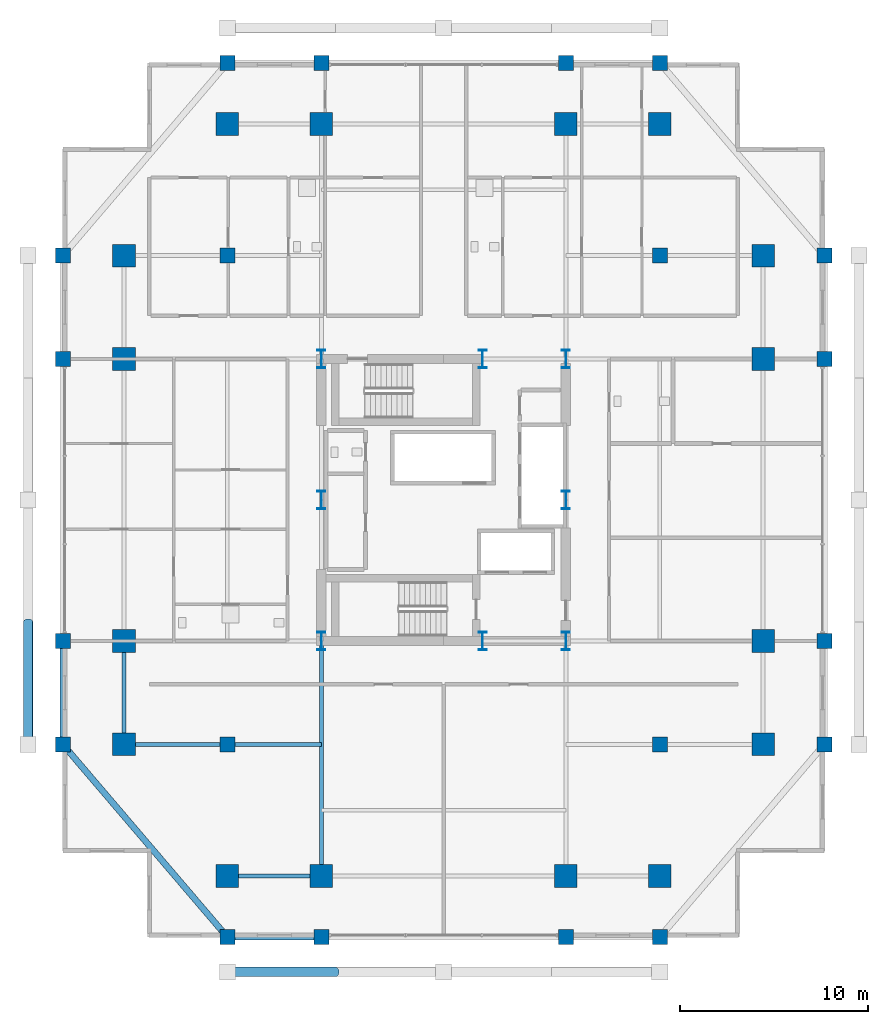
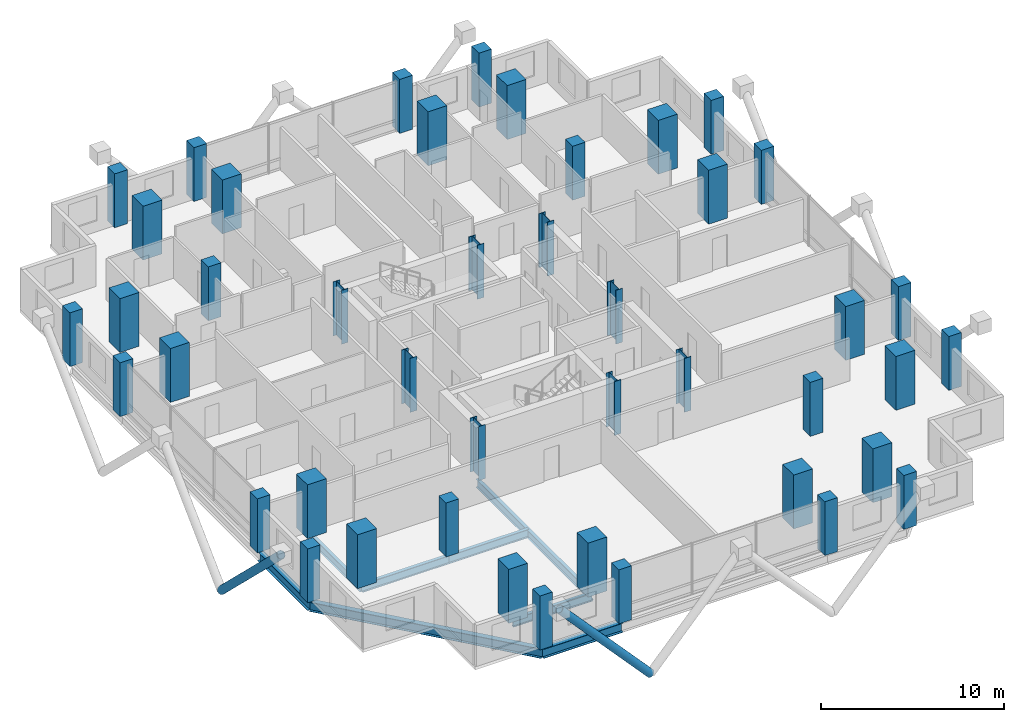
# One storey, part 1 of 22: 44 columns, 8 beams, 2 members.
"""IFC4 building model written with IfcOpenShell, lengths in metres."""

import ifcopenshell
import ifcopenshell.guid

model = None  # the IFC model being written
_history = None  # IfcOwnerHistory: only IFC2X3 demands one
_inside = {}  # id of a spatial element -> (the spatial element, [elements in it])
_under = {}  # id of a project, library or spatial element -> (it, [spatial elements below it])
_declared = {}  # id of a project -> (the project, [libraries it declares])
_typed = {}  # id of a type object -> (the type object, [elements of that type])
_made_of = {}  # id of a material, layer set ... -> (it, [elements and type objects made of it])


def new_model(schema):
    """Start an empty IFC model of exactly this schema.

    Asked for "IFC4X3", IfcOpenShell would pick the latest addendum, in which some entities
    have other attributes; the version numbers below select the first issue.
    IFC2X3 requires an IfcOwnerHistory on every rooted entity: one is made here for all.
    """
    global model, _history
    if schema == "IFC4X3":
        model = ifcopenshell.file(schema_version=(4, 3, 0, 0))
    else:
        model = ifcopenshell.file(schema=schema)
    _inside.clear()
    _under.clear()
    _declared.clear()
    _typed.clear()
    _made_of.clear()
    _history = None
    if model.schema == "IFC2X3":
        org = make("IfcOrganization", Name="unknown")
        user = make(
            "IfcPersonAndOrganization",
            ThePerson=make("IfcPerson", FamilyName="unknown"),
            TheOrganization=org,
        )
        app = make(
            "IfcApplication",
            ApplicationDeveloper=org,
            Version="unknown",
            ApplicationFullName="unknown",
            ApplicationIdentifier="unknown",
        )
        _history = make(
            "IfcOwnerHistory",
            OwningUser=user,
            OwningApplication=app,
            ChangeAction="ADDED",
            CreationDate=0,
        )
    return model


def make(cls, **values):
    """One entity of the class cls with the attributes given. An attribute that is None is left unset."""
    return model.create_entity(
        cls, **{name: value for name, value in values.items() if value is not None}
    )


def rooted(cls, **values):
    """An entity with a GlobalId (a new one), such as an element, a storey or a relation."""
    return make(cls, GlobalId=ifcopenshell.guid.new(), OwnerHistory=_history, **values)


def si_unit(unit_type, name, prefix=None):
    """IfcSIUnit, for example si_unit("LENGTHUNIT", "METRE", prefix="MILLI")."""
    return make("IfcSIUnit", UnitType=unit_type, Prefix=prefix, Name=name)


def assignment(units):
    """IfcUnitAssignment: the units of a project."""
    return None if units is None else make("IfcUnitAssignment", Units=units)


def point(xyz):
    """IfcCartesianPoint."""
    return None if xyz is None else make("IfcCartesianPoint", Coordinates=xyz)


def direction(xyz):
    """IfcDirection."""
    return None if xyz is None else make("IfcDirection", DirectionRatios=xyz)


def frame(location, z_axis=None, x_axis=None):
    """IfcAxis2Placement3D, a coordinate frame: its origin and axes. An axis left out is left unset."""
    return make(
        "IfcAxis2Placement3D",
        Location=point(location),
        Axis=direction(z_axis),
        RefDirection=direction(x_axis),
    )


def frame_2d(location, x_axis=None):
    """IfcAxis2Placement2D, a coordinate frame in the plane: its origin and x axis."""
    return make(
        "IfcAxis2Placement2D", Location=point(location), RefDirection=direction(x_axis)
    )


def origin():
    """The frame at (0, 0, 0) with its axes left unset."""
    return frame((0.0, 0.0, 0.0))


def origin_2d():
    """The frame at (0, 0) in the plane with its x axis left unset."""
    return frame_2d((0.0, 0.0))


def place(relative_to, where):
    """IfcLocalPlacement: puts the frame where relative to a parent placement (None: the world)."""
    return make(
        "IfcLocalPlacement", PlacementRelTo=relative_to, RelativePlacement=where
    )


def context(
    kind, dimensions, precision=None, world=None, true_north=None, identifier=None
):
    """IfcGeometricRepresentationContext, for example the 3D "Model" context."""
    return make(
        "IfcGeometricRepresentationContext",
        ContextIdentifier=identifier,
        ContextType=kind,
        CoordinateSpaceDimension=dimensions,
        Precision=precision,
        WorldCoordinateSystem=world,
        TrueNorth=true_north,
    )


def subcontext(parent, identifier, kind, view, scale=None):
    """IfcGeometricRepresentationSubContext, for example "Body" below "Model"."""
    return make(
        "IfcGeometricRepresentationSubContext",
        ContextIdentifier=identifier,
        ContextType=kind,
        ParentContext=parent,
        TargetScale=scale,
        TargetView=view,
    )


def project(units=None, contexts=None):
    """IfcProject with its units and contexts."""
    return rooted(
        "IfcProject",
        Name="project",
        RepresentationContexts=contexts,
        UnitsInContext=assignment(units),
    )


def spatial(cls, under=None, at=None, **own):
    """A site, building, storey or space (cls), placed at a placement, below another one or the project."""
    s = rooted(cls, ObjectPlacement=at, **own)
    if under is not None:
        _under.setdefault(under.id(), (under, []))[1].append(s)
    return s


def profile(cls, at=None, kind="AREA", **sizes):
    """A parametric profile (cls). Its sizes go by their IFC names, for example OverallWidth=200.0."""
    return make(cls, ProfileType=kind, Position=at, **sizes)


def rectangle(**sizes):
    """IfcRectangleProfileDef."""
    return profile("IfcRectangleProfileDef", **sizes)


def hollow_circle(**sizes):
    """IfcCircleHollowProfileDef."""
    return profile("IfcCircleHollowProfileDef", **sizes)


def i_section(**sizes):
    """IfcIShapeProfileDef."""
    return profile("IfcIShapeProfileDef", **sizes)


def extrude(swept, where, along, depth):
    """IfcExtrudedAreaSolid: the profile swept, set in the frame where, extruded along a direction by depth."""
    return make(
        "IfcExtrudedAreaSolid",
        SweptArea=swept,
        Position=where,
        ExtrudedDirection=direction(along),
        Depth=depth,
    )


def shape(context_of_items, identifier, shape_type, items):
    """IfcShapeRepresentation: the items that make up one representation, for example the "Body"."""
    return make(
        "IfcShapeRepresentation",
        ContextOfItems=context_of_items,
        RepresentationIdentifier=identifier,
        RepresentationType=shape_type,
        Items=items,
    )


def material(Name=None, Category=None):
    """IfcMaterial."""
    return make("IfcMaterial", Name=Name, Category=Category)


def material_profile(
    of_material, cross_section, Name=None, Category=None, Priority=None
):
    """IfcMaterialProfile: a cross section and its material."""
    return make(
        "IfcMaterialProfile",
        Name=Name,
        Material=of_material,
        Profile=cross_section,
        Priority=Priority,
        Category=Category,
    )


def profile_set(profiles, Name=None, composite=None):
    """IfcMaterialProfileSet."""
    return make(
        "IfcMaterialProfileSet",
        Name=Name,
        MaterialProfiles=profiles,
        CompositeProfile=composite,
    )


def made_of(thing, what):
    """Note that an element or type object is made of a material, layer set ...; save() writes the relation."""
    if what is not None:
        _made_of.setdefault(what.id(), (what, []))[1].append(thing)
    return thing


def type_object(cls, material=None, **own):
    """A type object (cls), such as IfcWallType, which elements share."""
    return made_of(rooted(cls, **own), material)


def element(
    cls,
    number,
    at=None,
    inside=None,
    cuts=None,
    type_object=None,
    material=None,
    context=None,
    identifier="Body",
    shape_type=None,
    held_by="IfcProductDefinitionShape",
    body=None,
    shapes=None,
    **own,
):
    """One element of the class cls, such as IfcWall. Its Tag is "e" and its number.

    at: its placement. inside: the storey or other place that contains it. cuts: it is an
    opening in that element (IfcRelVoidsElement). A single representation is given by context,
    identifier, shape_type and body (its items); several are given by shapes. held_by: the class
    of the entity that holds the representations. save() writes the other relations.
    """
    e = rooted(cls, Tag="e%d" % number, ObjectPlacement=at, **own)
    if body is not None:
        shapes = [shape(context, identifier, shape_type, body)]
    if shapes is not None:
        e.Representation = make(held_by, Representations=shapes)
    if inside is not None:
        _inside.setdefault(inside.id(), (inside, []))[1].append(e)
    if cuts is not None:
        rooted(
            "IfcRelVoidsElement", RelatingBuildingElement=cuts, RelatedOpeningElement=e
        )
    if type_object is not None:
        _typed.setdefault(type_object.id(), (type_object, []))[1].append(e)
    return made_of(e, material)


def aggregate(whole, parts):
    """IfcRelAggregates: a whole, such as a stair, and the parts it consists of."""
    return rooted("IfcRelAggregates", RelatingObject=whole, RelatedObjects=parts)


def save(model, path):
    """Write the relations noted so far, then the file.

    IfcRelAggregates (storeys below a building ...), IfcRelContainedInSpatialStructure (elements
    in a storey), IfcRelDefinesByType, IfcRelAssociatesMaterial and IfcRelDeclares: one each for
    every whole, place, type object, material and project.
    """
    for whole, parts in _under.values():
        aggregate(whole, parts)
    for where, things in _inside.values():
        rooted(
            "IfcRelContainedInSpatialStructure",
            RelatedElements=things,
            RelatingStructure=where,
        )
    for kind, things in _typed.values():
        rooted("IfcRelDefinesByType", RelatedObjects=things, RelatingType=kind)
    for what, things in _made_of.values():
        rooted("IfcRelAssociatesMaterial", RelatedObjects=things, RelatingMaterial=what)
    for by, libraries in _declared.values():
        rooted("IfcRelDeclares", RelatingContext=by, RelatedDefinitions=libraries)
    model.write(path)


model = new_model("IFC4")

# Units and contexts
model_context = context("Model", 3, precision=1e-05, world=origin(), true_north=direction((0.0, 1.0)))
body_context = subcontext(model_context, "Body", "Model", "MODEL_VIEW")
ifc_project = project(units=[si_unit("LENGTHUNIT", "METRE"), si_unit("AREAUNIT", "SQUARE_METRE"), si_unit("VOLUMEUNIT", "CUBIC_METRE"), si_unit("PLANEANGLEUNIT", "RADIAN"), si_unit("MASSUNIT", "GRAM", prefix="KILO")], contexts=[model_context])

# Site, building, storey
site_placement = place(None, origin())
site = spatial("IfcSite", under=ifc_project, at=site_placement, CompositionType="ELEMENT")
building_placement = place(site_placement, origin())
building = spatial("IfcBuilding", under=site, at=building_placement, Name="Barlavira Tower and Art Museum", CompositionType="ELEMENT")
storey_placement = place(building_placement, frame((0.0, 0.0, 129.60009765625)))
storey = spatial("IfcBuildingStorey", under=building, at=storey_placement, Name="L32", CompositionType="ELEMENT", Elevation=129.60009765625)

# Columns
ifc_material_1 = material(Name="Steel S355", Category="steel")
ifc_material_profile_1 = material_profile(ifc_material_1, i_section(OverallWidth=0.419921875, OverallDepth=0.9599609375, WebThickness=0.02197265625, FlangeThickness=0.033935546875, at=origin_2d()), Name="W920x387.0")
ifc_profile_set_1 = profile_set([ifc_material_profile_1], Name="Steel S355")
column_type_1 = type_object("IfcColumnType", Name="Core Composite Column W920x387 Steel S355", PredefinedType="COLUMN", material=ifc_profile_set_1)
for number, where, z_axis, x_axis, name in (
    (1, (-6.5, -7.5, 0.0), (0.0, 0.0, 1.0), (1.0, 0.0, 0.0), "L32 Column CC-L32-C1"),
    (2, (2.080078125, -7.5, 0.0), (0.0, 0.0, 1.0), (1.0, 0.0, 0.0), "L32 Column CC-L32-C2"),
    (3, (6.5, -7.5, 0.0), (0.0, 0.0, 1.0), (1.0, 0.0, 0.0), "L32 Column CC-L32-C3"),
    (4, (-6.5, 0.0, 0.0), (0.0, 0.0, 1.0), (1.0, 0.0, 0.0), "L32 Column CC-L32-C4"),
    (5, (6.5, 0.0, 0.0), (0.0, 0.0, 1.0), (1.0, 0.0, 0.0), "L32 Column CC-L32-C5"),
    (6, (-6.5, 7.5, 0.0), (0.0, 0.0, 1.0), (1.0, 0.0, 0.0), "L32 Column CC-L32-C6"),
    (7, (2.080078125, 7.5, 0.0), (0.0, 0.0, 1.0), (1.0, 0.0, 0.0), "L32 Column CC-L32-C7"),
    (8, (6.5, 7.5, 0.0), (0.0, 0.0, 1.0), (1.0, 0.0, 0.0), "L32 Column CC-L32-C8"),
):
    element("IfcColumn", number, at=place(storey_placement, frame(where, z_axis=z_axis, x_axis=x_axis)), inside=storey, type_object=column_type_1, Name=name, PredefinedType="COLUMN", context=body_context, shape_type="SweptSolid", body=[
        extrude(i_section(OverallWidth=0.419921875, OverallDepth=0.9599609375, WebThickness=0.02197265625, FlangeThickness=0.033935546875, at=origin_2d()), origin(), (0.0, 0.0, 1.0), 3.599853515625),
    ])
ifc_material_2 = material(Name="Concrete C60", Category="concrete")
ifc_material_profile_2 = material_profile(ifc_material_2, rectangle(XDim=1.199951171875, YDim=1.199951171875, at=origin_2d()), Name="RC-COL 1200x1200")
ifc_profile_set_2 = profile_set([ifc_material_profile_2], Name="Concrete C60")
column_type_2 = type_object("IfcColumnType", Name="Perimeter Mega Column 1200x1200 Concrete C60", PredefinedType="USERDEFINED", material=ifc_profile_set_2)
for number, where, z_axis, x_axis, name in (
    (9, (-11.5, -20.0, 0.0), (0.0, 0.0, 1.0), (1.0, 0.0, 0.0), "L32 Column MC-L32-M01"),
    (10, (-6.5, -20.0, 0.0), (0.0, 0.0, 1.0), (1.0, 0.0, 0.0), "L32 Column MC-L32-M02"),
    (11, (6.5, -20.0, 0.0), (0.0, 0.0, 1.0), (1.0, 0.0, 0.0), "L32 Column MC-L32-M03"),
    (12, (11.5, -20.0, 0.0), (0.0, 0.0, 1.0), (1.0, 0.0, 0.0), "L32 Column MC-L32-M04"),
    (13, (17.0, -13.0, 0.0), (0.0, 0.0, 1.0), (1.0, 0.0, 0.0), "L32 Column MC-L32-M05"),
    (14, (17.0, -7.5, 0.0), (0.0, 0.0, 1.0), (1.0, 0.0, 0.0), "L32 Column MC-L32-M06"),
    (15, (17.0, 7.5, 0.0), (0.0, 0.0, 1.0), (1.0, 0.0, 0.0), "L32 Column MC-L32-M07"),
    (16, (17.0, 13.0, 0.0), (0.0, 0.0, 1.0), (1.0, 0.0, 0.0), "L32 Column MC-L32-M08"),
    (17, (11.5, 20.0, 0.0), (0.0, 0.0, 1.0), (1.0, 0.0, 0.0), "L32 Column MC-L32-M09"),
    (18, (6.5, 20.0, 0.0), (0.0, 0.0, 1.0), (1.0, 0.0, 0.0), "L32 Column MC-L32-M10"),
    (19, (-6.5, 20.0, 0.0), (0.0, 0.0, 1.0), (1.0, 0.0, 0.0), "L32 Column MC-L32-M11"),
    (20, (-11.5, 20.0, 0.0), (0.0, 0.0, 1.0), (1.0, 0.0, 0.0), "L32 Column MC-L32-M12"),
    (21, (-17.0, 13.0, 0.0), (0.0, 0.0, 1.0), (1.0, 0.0, 0.0), "L32 Column MC-L32-M13"),
    (22, (-17.0, 7.5, 0.0), (0.0, 0.0, 1.0), (1.0, 0.0, 0.0), "L32 Column MC-L32-M14"),
    (23, (-17.0, -7.5, 0.0), (0.0, 0.0, 1.0), (1.0, 0.0, 0.0), "L32 Column MC-L32-M15"),
    (24, (-17.0, -13.0, 0.0), (0.0, 0.0, 1.0), (1.0, 0.0, 0.0), "L32 Column MC-L32-M16"),
):
    element("IfcColumn", number, at=place(storey_placement, frame(where, z_axis=z_axis, x_axis=x_axis)), inside=storey, type_object=column_type_2, Name=name, ObjectType="MEGA COLUMN", PredefinedType="USERDEFINED", context=body_context, shape_type="SweptSolid", body=[
        extrude(rectangle(XDim=1.199951171875, YDim=1.199951171875, at=origin_2d()), origin(), (0.0, 0.0, 1.0), 3.599853515625),
    ])
ifc_material_3 = material(Name="Concrete C50", Category="concrete")
ifc_material_profile_3 = material_profile(ifc_material_3, rectangle(XDim=0.800048828125, YDim=0.800048828125, at=origin_2d()), Name="RC-COL 800x800")
ifc_profile_set_3 = profile_set([ifc_material_profile_3], Name="Concrete C50")
column_type_3 = type_object("IfcColumnType", Name="Podium Frame Column 800x800 Concrete C50", PredefinedType="COLUMN", material=ifc_profile_set_3)
for number, where, z_axis, x_axis, name in (
    (25, (-11.5, -13.0, 0.0), (0.0, 0.0, 1.0), (1.0, 0.0, 0.0), "L32 Column CI-L32-I1"),
    (26, (11.5, -13.0, 0.0), (0.0, 0.0, 1.0), (1.0, 0.0, 0.0), "L32 Column CI-L32-I2"),
    (27, (-11.5, 13.0, 0.0), (0.0, 0.0, 1.0), (1.0, 0.0, 0.0), "L32 Column CI-L32-I3"),
    (28, (11.5, 13.0, 0.0), (0.0, 0.0, 1.0), (1.0, 0.0, 0.0), "L32 Column CI-L32-I4"),
    (29, (-11.5, -23.25, 0.0), (0.0, 0.0, 1.0), (1.0, 0.0, 0.0), "L32 Column CZ2-L32-N01"),
    (30, (-6.5, -23.25, 0.0), (0.0, 0.0, 1.0), (1.0, 0.0, 0.0), "L32 Column CZ2-L32-N02"),
    (31, (6.5, -23.25, 0.0), (0.0, 0.0, 1.0), (1.0, 0.0, 0.0), "L32 Column CZ2-L32-N02B"),
    (32, (11.5, -23.25, 0.0), (0.0, 0.0, 1.0), (1.0, 0.0, 0.0), "L32 Column CZ2-L32-N03"),
    (33, (-20.25, -13.0, 0.0), (0.0, 0.0, 1.0), (1.0, 0.0, 0.0), "L32 Column CZ2-L32-N04"),
    (34, (-20.25, -7.5, 0.0), (0.0, 0.0, 1.0), (1.0, 0.0, 0.0), "L32 Column CZ2-L32-N05"),
    (35, (-20.25, 7.5, 0.0), (0.0, 0.0, 1.0), (1.0, 0.0, 0.0), "L32 Column CZ2-L32-N05B"),
    (36, (-20.25, 13.0, 0.0), (0.0, 0.0, 1.0), (1.0, 0.0, 0.0), "L32 Column CZ2-L32-N06"),
    (37, (-11.5, 23.25, 0.0), (0.0, 0.0, 1.0), (1.0, 0.0, 0.0), "L32 Column CZ2-L32-N07"),
    (38, (-6.5, 23.25, 0.0), (0.0, 0.0, 1.0), (1.0, 0.0, 0.0), "L32 Column CZ2-L32-N08"),
    (39, (6.5, 23.25, 0.0), (0.0, 0.0, 1.0), (1.0, 0.0, 0.0), "L32 Column CZ2-L32-N08B"),
    (40, (11.5, 23.25, 0.0), (0.0, 0.0, 1.0), (1.0, 0.0, 0.0), "L32 Column CZ2-L32-N09"),
    (41, (20.25, -13.0, 0.0), (0.0, 0.0, 1.0), (1.0, 0.0, 0.0), "L32 Column CZ2-L32-N10"),
    (42, (20.25, -7.5, 0.0), (0.0, 0.0, 1.0), (1.0, 0.0, 0.0), "L32 Column CZ2-L32-N11"),
    (43, (20.25, 7.5, 0.0), (0.0, 0.0, 1.0), (1.0, 0.0, 0.0), "L32 Column CZ2-L32-N11B"),
    (44, (20.25, 13.0, 0.0), (0.0, 0.0, 1.0), (1.0, 0.0, 0.0), "L32 Column CZ2-L32-N12"),
):
    element("IfcColumn", number, at=place(storey_placement, frame(where, z_axis=z_axis, x_axis=x_axis)), inside=storey, type_object=column_type_3, Name=name, PredefinedType="COLUMN", context=body_context, shape_type="SweptSolid", body=[
        extrude(rectangle(XDim=0.800048828125, YDim=0.800048828125, at=origin_2d()), origin(), (0.0, 0.0, 1.0), 3.599853515625),
    ])

# Members
ifc_material_profile_4 = material_profile(ifc_material_1, hollow_circle(Radius=0.25390625, WallThickness=0.022216796875, at=origin_2d()), Name="CHS 508.0x22.2")
ifc_profile_set_4 = profile_set([ifc_material_profile_4], Name="Steel S355")
member_type = type_object("IfcMemberType", Name="Pale-Metal Exoskeleton Diagrid Tube CHS 508x22 Steel S355", PredefinedType="BRACE", material=ifc_profile_set_4)
member_1_placement = place(storey_placement, frame((-5.75, -25.10009765625, -2.820068359375), z_axis=(-0.67412750573, 0.0, 0.738614991736), x_axis=(0.0, -1.0, 0.0)))
element("IfcMember", 45, at=member_1_placement, inside=storey, type_object=member_type, Name="L32 Exoskeleton Diagrid Tube S", PredefinedType="BRACE", context=body_context, shape_type="SweptSolid", body=[
    extrude(hollow_circle(Radius=0.25390625, WallThickness=0.022216796875, at=origin_2d()), origin(), (0.0, 0.0, 1.0), 8.529541015625),
])
member_2_placement = place(storey_placement, frame((-22.10009765625, -6.5, -2.820068359375), z_axis=(0.0, -0.718064979499, 0.695976066555), x_axis=(1.0, 0.0, 0.0)))
element("IfcMember", 46, at=member_2_placement, inside=storey, type_object=member_type, Name="L32 Exoskeleton Diagrid Tube W", PredefinedType="BRACE", context=body_context, shape_type="SweptSolid", body=[
    extrude(hollow_circle(Radius=0.25390625, WallThickness=0.022216796875, at=origin_2d()), origin(), (0.0, 0.0, 1.0), 9.052001953125),
])

# Beams
ifc_material_profile_5 = material_profile(ifc_material_1, i_section(OverallWidth=0.327880859375, OverallDepth=0.62890625, WebThickness=0.013916015625, FlangeThickness=0.021484375, at=origin_2d()), Name="W610x174.0")
ifc_profile_set_5 = profile_set([ifc_material_profile_5], Name="Steel S355")
beam_type_1 = type_object("IfcBeamType", Name="Perimeter Spandrel Edge Beam W610x174 Steel S355", PredefinedType="SPANDREL", material=ifc_profile_set_5)
beam_1_placement = place(storey_placement, frame((-11.5, -23.25, -0.53466796875), z_axis=(1.0, 0.0, 0.0), x_axis=(0.0, 1.0, 0.0)))
element("IfcBeam", 47, at=beam_1_placement, inside=storey, type_object=beam_type_1, Name="L32 Spandrel 1", PredefinedType="SPANDREL", context=body_context, shape_type="SweptSolid", body=[
    extrude(i_section(OverallWidth=0.327880859375, OverallDepth=0.62890625, WebThickness=0.013916015625, FlangeThickness=0.021484375, at=origin_2d()), origin(), (0.0, 0.0, 1.0), 5.0),
])
beam_2_placement = place(storey_placement, frame((-20.25, -13.0, -0.53466796875), z_axis=(0.0, 1.0, 0.0), x_axis=(-1.0, 0.0, 0.0)))
element("IfcBeam", 48, at=beam_2_placement, inside=storey, type_object=beam_type_1, Name="L32 Spandrel 15", PredefinedType="SPANDREL", context=body_context, shape_type="SweptSolid", body=[
    extrude(i_section(OverallWidth=0.327880859375, OverallDepth=0.62890625, WebThickness=0.013916015625, FlangeThickness=0.021484375, at=origin_2d()), origin(), (0.0, 0.0, 1.0), 5.5),
])
beam_3_placement = place(storey_placement, frame((-20.25, -13.0, -0.53466796875), z_axis=(0.649262379928, -0.760564502202, 0.0), x_axis=(0.760564502202, 0.649262379928, 0.0)))
element("IfcBeam", 49, at=beam_3_placement, inside=storey, type_object=beam_type_1, Name="L32 Spandrel 16", PredefinedType="SPANDREL", context=body_context, shape_type="SweptSolid", body=[
    extrude(i_section(OverallWidth=0.327880859375, OverallDepth=0.62890625, WebThickness=0.013916015625, FlangeThickness=0.021484375, at=origin_2d()), origin(), (0.0, 0.0, 1.0), 13.476806640625),
])
ifc_material_profile_6 = material_profile(ifc_material_1, i_section(OverallWidth=0.214111328125, OverallDepth=0.549072265625, WebThickness=0.0146484375, FlangeThickness=0.023681640625, at=origin_2d()), Name="W530x138.0")
ifc_profile_set_6 = profile_set([ifc_material_profile_6], Name="Steel S355")
beam_type_2 = type_object("IfcBeamType", Name="Zone 1 Primary Floor Girder W530x138 Steel S355", PredefinedType="BEAM", material=ifc_profile_set_6)
beam_4_placement = place(storey_placement, frame((-11.5, -20.0, -0.49462890625), z_axis=(1.0, 0.0, 0.0), x_axis=(0.0, 1.0, 0.0)))
element("IfcBeam", 50, at=beam_4_placement, inside=storey, type_object=beam_type_2, Name="L32 Girder M-S1", PredefinedType="BEAM", context=body_context, shape_type="SweptSolid", body=[
    extrude(i_section(OverallWidth=0.214111328125, OverallDepth=0.549072265625, WebThickness=0.0146484375, FlangeThickness=0.023681640625, at=origin_2d()), origin(), (0.0, 0.0, 1.0), 5.0),
])
beam_5_placement = place(storey_placement, frame((-17.0, -13.0, -0.49462890625), z_axis=(0.0, 1.0, 0.0), x_axis=(-1.0, 0.0, 0.0)))
element("IfcBeam", 51, at=beam_5_placement, inside=storey, type_object=beam_type_2, Name="L32 Girder M-W1", PredefinedType="BEAM", context=body_context, shape_type="SweptSolid", body=[
    extrude(i_section(OverallWidth=0.214111328125, OverallDepth=0.549072265625, WebThickness=0.0146484375, FlangeThickness=0.023681640625, at=origin_2d()), origin(), (0.0, 0.0, 1.0), 5.5),
])
beam_6_placement = place(storey_placement, frame((-6.5, -20.0, -0.49462890625), z_axis=(0.0, 1.0, 0.0), x_axis=(-1.0, 0.0, 0.0)))
element("IfcBeam", 52, at=beam_6_placement, inside=storey, type_object=beam_type_2, Name="L32 Girder R-S1", PredefinedType="BEAM", context=body_context, shape_type="SweptSolid", body=[
    extrude(i_section(OverallWidth=0.214111328125, OverallDepth=0.549072265625, WebThickness=0.0146484375, FlangeThickness=0.023681640625, at=origin_2d()), origin(), (0.0, 0.0, 1.0), 12.5),
])
beam_7_placement = place(storey_placement, frame((-17.0, -13.0, -0.49462890625), z_axis=(1.0, 0.0, 0.0), x_axis=(0.0, 1.0, 0.0)))
element("IfcBeam", 53, at=beam_7_placement, inside=storey, type_object=beam_type_2, Name="L32 Girder I-S1", PredefinedType="BEAM", context=body_context, shape_type="SweptSolid", body=[
    extrude(i_section(OverallWidth=0.214111328125, OverallDepth=0.549072265625, WebThickness=0.0146484375, FlangeThickness=0.023681640625, at=origin_2d()), origin(), (0.0, 0.0, 1.0), 5.5),
])
beam_8_placement = place(storey_placement, frame((-11.5, -13.0, -0.49462890625), z_axis=(1.0, 0.0, 0.0), x_axis=(0.0, 1.0, 0.0)))
element("IfcBeam", 54, at=beam_8_placement, inside=storey, type_object=beam_type_2, Name="L32 Girder I-S2", PredefinedType="BEAM", context=body_context, shape_type="SweptSolid", body=[
    extrude(i_section(OverallWidth=0.214111328125, OverallDepth=0.549072265625, WebThickness=0.0146484375, FlangeThickness=0.023681640625, at=origin_2d()), origin(), (0.0, 0.0, 1.0), 5.0),
])

save(model, "model.ifc")
